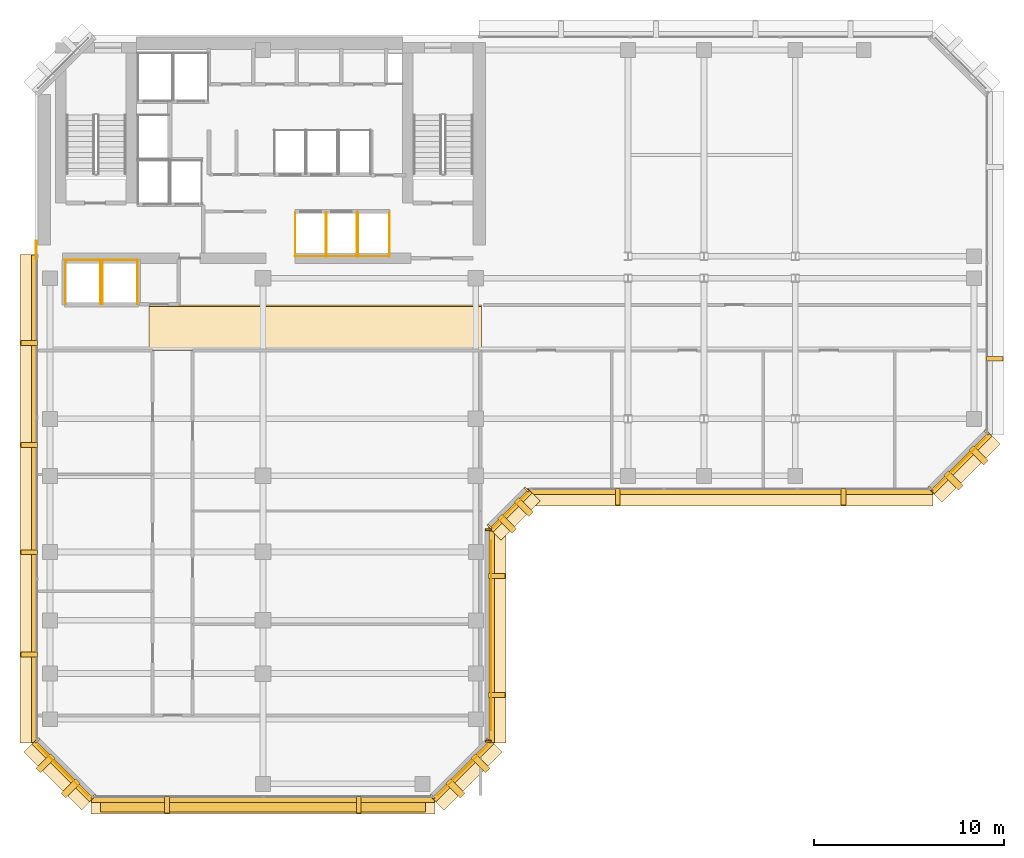
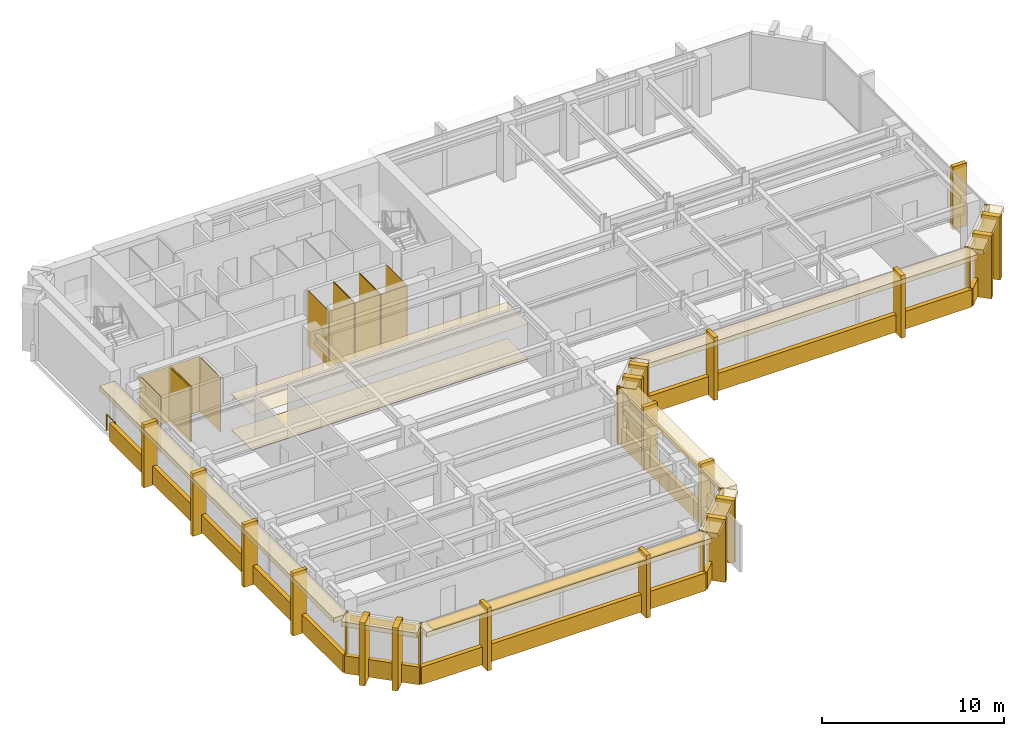
# One storey, part 9 of 12: 67 coverings, 1 railing, 1 shading device.
"""IFC4 building model written with IfcOpenShell, lengths in metres."""

import ifcopenshell
import ifcopenshell.guid

model = None  # the IFC model being written
_history = None  # IfcOwnerHistory: only IFC2X3 demands one
_inside = {}  # id of a spatial element -> (the spatial element, [elements in it])
_under = {}  # id of a project, library or spatial element -> (it, [spatial elements below it])
_declared = {}  # id of a project -> (the project, [libraries it declares])
_typed = {}  # id of a type object -> (the type object, [elements of that type])
_made_of = {}  # id of a material, layer set ... -> (it, [elements and type objects made of it])


def new_model(schema):
    """Start an empty IFC model of exactly this schema.

    Asked for "IFC4X3", IfcOpenShell would pick the latest addendum, in which some entities
    have other attributes; the version numbers below select the first issue.
    IFC2X3 requires an IfcOwnerHistory on every rooted entity: one is made here for all.
    """
    global model, _history
    if schema == "IFC4X3":
        model = ifcopenshell.file(schema_version=(4, 3, 0, 0))
    else:
        model = ifcopenshell.file(schema=schema)
    _inside.clear()
    _under.clear()
    _declared.clear()
    _typed.clear()
    _made_of.clear()
    _history = None
    if model.schema == "IFC2X3":
        org = make("IfcOrganization", Name="unknown")
        user = make(
            "IfcPersonAndOrganization",
            ThePerson=make("IfcPerson", FamilyName="unknown"),
            TheOrganization=org,
        )
        app = make(
            "IfcApplication",
            ApplicationDeveloper=org,
            Version="unknown",
            ApplicationFullName="unknown",
            ApplicationIdentifier="unknown",
        )
        _history = make(
            "IfcOwnerHistory",
            OwningUser=user,
            OwningApplication=app,
            ChangeAction="ADDED",
            CreationDate=0,
        )
    return model


def make(cls, **values):
    """One entity of the class cls with the attributes given. An attribute that is None is left unset."""
    return model.create_entity(
        cls, **{name: value for name, value in values.items() if value is not None}
    )


def rooted(cls, **values):
    """An entity with a GlobalId (a new one), such as an element, a storey or a relation."""
    return make(cls, GlobalId=ifcopenshell.guid.new(), OwnerHistory=_history, **values)


def si_unit(unit_type, name, prefix=None):
    """IfcSIUnit, for example si_unit("LENGTHUNIT", "METRE", prefix="MILLI")."""
    return make("IfcSIUnit", UnitType=unit_type, Prefix=prefix, Name=name)


def assignment(units):
    """IfcUnitAssignment: the units of a project."""
    return None if units is None else make("IfcUnitAssignment", Units=units)


def point(xyz):
    """IfcCartesianPoint."""
    return None if xyz is None else make("IfcCartesianPoint", Coordinates=xyz)


def direction(xyz):
    """IfcDirection."""
    return None if xyz is None else make("IfcDirection", DirectionRatios=xyz)


def frame(location, z_axis=None, x_axis=None):
    """IfcAxis2Placement3D, a coordinate frame: its origin and axes. An axis left out is left unset."""
    return make(
        "IfcAxis2Placement3D",
        Location=point(location),
        Axis=direction(z_axis),
        RefDirection=direction(x_axis),
    )


def frame_2d(location, x_axis=None):
    """IfcAxis2Placement2D, a coordinate frame in the plane: its origin and x axis."""
    return make(
        "IfcAxis2Placement2D", Location=point(location), RefDirection=direction(x_axis)
    )


def origin():
    """The frame at (0, 0, 0) with its axes left unset."""
    return frame((0.0, 0.0, 0.0))


def origin_2d():
    """The frame at (0, 0) in the plane with its x axis left unset."""
    return frame_2d((0.0, 0.0))


def place(relative_to, where):
    """IfcLocalPlacement: puts the frame where relative to a parent placement (None: the world)."""
    return make(
        "IfcLocalPlacement", PlacementRelTo=relative_to, RelativePlacement=where
    )


def context(
    kind, dimensions, precision=None, world=None, true_north=None, identifier=None
):
    """IfcGeometricRepresentationContext, for example the 3D "Model" context."""
    return make(
        "IfcGeometricRepresentationContext",
        ContextIdentifier=identifier,
        ContextType=kind,
        CoordinateSpaceDimension=dimensions,
        Precision=precision,
        WorldCoordinateSystem=world,
        TrueNorth=true_north,
    )


def subcontext(parent, identifier, kind, view, scale=None):
    """IfcGeometricRepresentationSubContext, for example "Body" below "Model"."""
    return make(
        "IfcGeometricRepresentationSubContext",
        ContextIdentifier=identifier,
        ContextType=kind,
        ParentContext=parent,
        TargetScale=scale,
        TargetView=view,
    )


def project(units=None, contexts=None):
    """IfcProject with its units and contexts."""
    return rooted(
        "IfcProject",
        Name="project",
        RepresentationContexts=contexts,
        UnitsInContext=assignment(units),
    )


def spatial(cls, under=None, at=None, **own):
    """A site, building, storey or space (cls), placed at a placement, below another one or the project."""
    s = rooted(cls, ObjectPlacement=at, **own)
    if under is not None:
        _under.setdefault(under.id(), (under, []))[1].append(s)
    return s


def polyline(points):
    """IfcPolyline through the points."""
    return make("IfcPolyline", Points=[point(p) for p in points])


def profile(cls, at=None, kind="AREA", **sizes):
    """A parametric profile (cls). Its sizes go by their IFC names, for example OverallWidth=200.0."""
    return make(cls, ProfileType=kind, Position=at, **sizes)


def rectangle(**sizes):
    """IfcRectangleProfileDef."""
    return profile("IfcRectangleProfileDef", **sizes)


def circle(**sizes):
    """IfcCircleProfileDef."""
    return profile("IfcCircleProfileDef", **sizes)


def outline(outer, holes=None, kind="AREA"):
    """IfcArbitraryClosedProfileDef: a profile drawn as a closed curve; with holes, ...WithVoids."""
    if holes is None:
        return make("IfcArbitraryClosedProfileDef", ProfileType=kind, OuterCurve=outer)
    return make(
        "IfcArbitraryProfileDefWithVoids",
        ProfileType=kind,
        OuterCurve=outer,
        InnerCurves=holes,
    )


def extrude(swept, where, along, depth):
    """IfcExtrudedAreaSolid: the profile swept, set in the frame where, extruded along a direction by depth."""
    return make(
        "IfcExtrudedAreaSolid",
        SweptArea=swept,
        Position=where,
        ExtrudedDirection=direction(along),
        Depth=depth,
    )


def shape(context_of_items, identifier, shape_type, items):
    """IfcShapeRepresentation: the items that make up one representation, for example the "Body"."""
    return make(
        "IfcShapeRepresentation",
        ContextOfItems=context_of_items,
        RepresentationIdentifier=identifier,
        RepresentationType=shape_type,
        Items=items,
    )


def material(Name=None, Category=None):
    """IfcMaterial."""
    return make("IfcMaterial", Name=Name, Category=Category)


def layer(
    of_material, thickness, ventilated=None, Name=None, Category=None, Priority=None
):
    """IfcMaterialLayer: one layer of a wall or slab, of a material (None: an air gap)."""
    return make(
        "IfcMaterialLayer",
        Material=of_material,
        LayerThickness=thickness,
        IsVentilated=ventilated,
        Name=Name,
        Category=Category,
        Priority=Priority,
    )


def layer_set(layers, Name=None):
    """IfcMaterialLayerSet."""
    return make("IfcMaterialLayerSet", MaterialLayers=layers, LayerSetName=Name)


def made_of(thing, what):
    """Note that an element or type object is made of a material, layer set ...; save() writes the relation."""
    if what is not None:
        _made_of.setdefault(what.id(), (what, []))[1].append(thing)
    return thing


def type_object(cls, material=None, **own):
    """A type object (cls), such as IfcWallType, which elements share."""
    return made_of(rooted(cls, **own), material)


def element(
    cls,
    number,
    at=None,
    inside=None,
    cuts=None,
    type_object=None,
    material=None,
    context=None,
    identifier="Body",
    shape_type=None,
    held_by="IfcProductDefinitionShape",
    body=None,
    shapes=None,
    **own,
):
    """One element of the class cls, such as IfcWall. Its Tag is "e" and its number.

    at: its placement. inside: the storey or other place that contains it. cuts: it is an
    opening in that element (IfcRelVoidsElement). A single representation is given by context,
    identifier, shape_type and body (its items); several are given by shapes. held_by: the class
    of the entity that holds the representations. save() writes the other relations.
    """
    e = rooted(cls, Tag="e%d" % number, ObjectPlacement=at, **own)
    if body is not None:
        shapes = [shape(context, identifier, shape_type, body)]
    if shapes is not None:
        e.Representation = make(held_by, Representations=shapes)
    if inside is not None:
        _inside.setdefault(inside.id(), (inside, []))[1].append(e)
    if cuts is not None:
        rooted(
            "IfcRelVoidsElement", RelatingBuildingElement=cuts, RelatedOpeningElement=e
        )
    if type_object is not None:
        _typed.setdefault(type_object.id(), (type_object, []))[1].append(e)
    return made_of(e, material)


def aggregate(whole, parts):
    """IfcRelAggregates: a whole, such as a stair, and the parts it consists of."""
    return rooted("IfcRelAggregates", RelatingObject=whole, RelatedObjects=parts)


def save(model, path):
    """Write the relations noted so far, then the file.

    IfcRelAggregates (storeys below a building ...), IfcRelContainedInSpatialStructure (elements
    in a storey), IfcRelDefinesByType, IfcRelAssociatesMaterial and IfcRelDeclares: one each for
    every whole, place, type object, material and project.
    """
    for whole, parts in _under.values():
        aggregate(whole, parts)
    for where, things in _inside.values():
        rooted(
            "IfcRelContainedInSpatialStructure",
            RelatedElements=things,
            RelatingStructure=where,
        )
    for kind, things in _typed.values():
        rooted("IfcRelDefinesByType", RelatedObjects=things, RelatingType=kind)
    for what, things in _made_of.values():
        rooted("IfcRelAssociatesMaterial", RelatedObjects=things, RelatingMaterial=what)
    for by, libraries in _declared.values():
        rooted("IfcRelDeclares", RelatingContext=by, RelatedDefinitions=libraries)
    model.write(path)


model = new_model("IFC4")

# Units and contexts
model_context = context("Model", 3, precision=1e-05, world=origin(), true_north=direction((0.0, 1.0)))
body_context = subcontext(model_context, "Body", "Model", "MODEL_VIEW")
ifc_project = project(units=[si_unit("LENGTHUNIT", "METRE"), si_unit("AREAUNIT", "SQUARE_METRE"), si_unit("VOLUMEUNIT", "CUBIC_METRE"), si_unit("PLANEANGLEUNIT", "RADIAN"), si_unit("MASSUNIT", "GRAM", prefix="KILO")], contexts=[model_context])

# Site, building, storey
site_placement = place(None, origin())
site = spatial("IfcSite", under=ifc_project, at=site_placement, CompositionType="ELEMENT")
building_placement = place(site_placement, origin())
building = spatial("IfcBuilding", under=site, at=building_placement, Name="Kefirva Bronze Tower", CompositionType="ELEMENT")
storey_placement = place(building_placement, frame((0.0, 0.0, 195.360107421875)))
storey = spatial("IfcBuildingStorey", under=building, at=storey_placement, Name="L47", CompositionType="ELEMENT", Elevation=195.360107421875)

# Coverings
ifc_material_1 = material(Name="Acoustic mineral tile")
ifc_layer_1 = layer(ifc_material_1, 0.02490234375, Name="Acoustic mineral tile")
ifc_layer_set_1 = layer_set([ifc_layer_1], Name="Acoustic mineral tile")
covering_type_1 = type_object("IfcCoveringType", Name="Acoustic Mineral Suspended Ceiling 25mm", PredefinedType="CEILING", material=ifc_layer_set_1)
covering_1_placement = place(storey_placement, frame((0.0, 0.0, 2.39990234375)))
element("IfcCovering", 1, at=covering_1_placement, inside=storey, type_object=covering_type_1, Name="L47 Corridor Acoustic Ceiling", PredefinedType="CEILING", context=body_context, shape_type="SweptSolid", body=[
    extrude(outline(polyline([(6.0, 29.39990234375), (23.5, 29.39990234375), (23.5, 31.800048828125), (6.0, 31.800048828125), (6.0, 29.39990234375)])), origin(), (0.0, 0.0, 1.0), 0.02490234375),
])
ifc_material_2 = material(Name="Bronze anodised aluminium", Category="aluminium")
ifc_layer_2 = layer(ifc_material_2, 0.02001953125, Name="Bronze anodised aluminium")
ifc_layer_set_2 = layer_set([ifc_layer_2], Name="Bronze anodised aluminium")
covering_type_2 = type_object("IfcCoveringType", Name="Anodised Bronze Spandrel Cladding 20mm", PredefinedType="CLADDING", material=ifc_layer_set_2)
covering_2_placement = place(storey_placement, frame((12.0, 5.760009765625, -0.16015625), z_axis=(0.0, 0.0, 1.0), x_axis=(1.0, 0.0, 0.0)))
element("IfcCovering", 2, at=covering_2_placement, inside=storey, type_object=covering_type_2, Name="L47 Streamline Horizontal Spandrel Band 0", PredefinedType="CLADDING", context=body_context, shape_type="SweptSolid", body=[
    extrude(rectangle(XDim=18.0400390625, YDim=0.280029296875, at=origin_2d()), origin(), (0.0, 0.0, 1.0), 1.179931640625),
])
covering_3_placement = place(storey_placement, frame((22.507080078125, 7.29296875, 3.2900390625), z_axis=(0.0, 0.0, 1.0), x_axis=(0.707106781187, 0.707106781187, 0.0)))
element("IfcCovering", 3, at=covering_3_placement, inside=storey, type_object=covering_type_2, Name="L47 Bronze Spandrel Cladding 1", PredefinedType="CLADDING", context=body_context, shape_type="SweptSolid", body=[
    extrude(rectangle(XDim=3.719482421875, YDim=0.02001953125, at=origin_2d()), origin(), (0.0, 0.0, 1.0), 0.39990234375),
])
for number, where, z_axis, x_axis, name in (
    (4, (20.91162109375, 5.93798828125, 0.0), (0.0, 0.0, 1.0), (0.707106781187, 0.707106781187, 0.0), "L47 Facade Joint Closure Panel 1S"),
    (5, (23.862060546875, 8.88818359375, 0.0), (0.0, 0.0, 1.0), (0.707106781187, 0.707106781187, 0.0), "L47 Facade Joint Closure Panel 1E"),
):
    element("IfcCovering", number, at=place(storey_placement, frame(where, z_axis=z_axis, x_axis=x_axis)), inside=storey, type_object=covering_type_2, Name=name, PredefinedType="CLADDING", context=body_context, shape_type="SweptSolid", body=[
        extrude(rectangle(XDim=0.10009765625, YDim=0.320068359375, at=origin_2d()), origin(), (0.0, 0.0, 1.0), 3.7099609375),
    ])
covering_4_placement = place(storey_placement, frame((22.5283203125, 7.271728515625, -0.16015625), z_axis=(0.0, 0.0, 1.0), x_axis=(0.707106781187, 0.707106781187, 0.0)))
element("IfcCovering", 6, at=covering_4_placement, inside=storey, type_object=covering_type_2, Name="L47 Streamline Horizontal Spandrel Band 1", PredefinedType="CLADDING", context=body_context, shape_type="SweptSolid", body=[
    extrude(rectangle(XDim=4.28271484375, YDim=0.280029296875, at=origin_2d()), origin(), (0.0, 0.0, 1.0), 1.179931640625),
])
covering_5_placement = place(storey_placement, frame((24.010009765625, 14.39990234375, 3.2900390625), z_axis=(0.0, 0.0, 1.0), x_axis=(0.0, 1.0, 0.0)))
element("IfcCovering", 7, at=covering_5_placement, inside=storey, type_object=covering_type_2, Name="L47 Bronze Spandrel Cladding 2", PredefinedType="CLADDING", context=body_context, shape_type="SweptSolid", body=[
    extrude(rectangle(XDim=9.98095703125, YDim=0.02001953125, at=origin_2d()), origin(), (0.0, 0.0, 1.0), 0.39990234375),
])
for number, where, z_axis, x_axis, name in (
    (8, (23.840087890625, 8.8349609375, 0.0), (0.0, 0.0, 1.0), (0.0, 1.0, 0.0), "L47 Facade Joint Closure Panel 2S"),
    (9, (23.840087890625, 19.965087890625, 0.0), (0.0, 0.0, 1.0), (0.0, 1.0, 0.0), "L47 Facade Joint Closure Panel 2E"),
):
    element("IfcCovering", number, at=place(storey_placement, frame(where, z_axis=z_axis, x_axis=x_axis)), inside=storey, type_object=covering_type_2, Name=name, PredefinedType="CLADDING", context=body_context, shape_type="SweptSolid", body=[
        extrude(rectangle(XDim=0.10009765625, YDim=0.320068359375, at=origin_2d()), origin(), (0.0, 0.0, 1.0), 3.7099609375),
    ])
covering_6_placement = place(storey_placement, frame((24.0400390625, 14.39990234375, -0.16015625), z_axis=(0.0, 0.0, 1.0), x_axis=(0.0, 1.0, 0.0)))
element("IfcCovering", 10, at=covering_6_placement, inside=storey, type_object=covering_type_2, Name="L47 Streamline Horizontal Spandrel Band 2", PredefinedType="CLADDING", context=body_context, shape_type="SweptSolid", body=[
    extrude(rectangle(XDim=11.239990234375, YDim=0.280029296875, at=origin_2d()), origin(), (0.0, 0.0, 1.0), 1.179931640625),
])
covering_7_placement = place(storey_placement, frame((25.007080078125, 20.992919921875, 3.2900390625), z_axis=(0.0, 0.0, 1.0), x_axis=(0.707106781187, 0.707106781187, 0.0)))
element("IfcCovering", 11, at=covering_7_placement, inside=storey, type_object=covering_type_2, Name="L47 Bronze Spandrel Cladding 3", PredefinedType="CLADDING", context=body_context, shape_type="SweptSolid", body=[
    extrude(rectangle(XDim=2.446533203125, YDim=0.02001953125, at=origin_2d()), origin(), (0.0, 0.0, 1.0), 0.39990234375),
])
for number, where, z_axis, x_axis, name in (
    (12, (23.91162109375, 20.137939453125, 0.0), (0.0, 0.0, 1.0), (0.707106781187, 0.707106781187, 0.0), "L47 Facade Joint Closure Panel 3S"),
    (13, (25.862060546875, 22.08837890625, 0.0), (0.0, 0.0, 1.0), (0.707106781187, 0.707106781187, 0.0), "L47 Facade Joint Closure Panel 3E"),
):
    element("IfcCovering", number, at=place(storey_placement, frame(where, z_axis=z_axis, x_axis=x_axis)), inside=storey, type_object=covering_type_2, Name=name, PredefinedType="CLADDING", context=body_context, shape_type="SweptSolid", body=[
        extrude(rectangle(XDim=0.10009765625, YDim=0.320068359375, at=origin_2d()), origin(), (0.0, 0.0, 1.0), 3.7099609375),
    ])
covering_8_placement = place(storey_placement, frame((25.0283203125, 20.9716796875, -0.16015625), z_axis=(0.0, 0.0, 1.0), x_axis=(0.707106781187, 0.707106781187, 0.0)))
element("IfcCovering", 14, at=covering_8_placement, inside=storey, type_object=covering_type_2, Name="L47 Streamline Horizontal Spandrel Band 3", PredefinedType="CLADDING", context=body_context, shape_type="SweptSolid", body=[
    extrude(rectangle(XDim=2.868408203125, YDim=0.280029296875, at=origin_2d()), origin(), (0.0, 0.0, 1.0), 1.179931640625),
])
covering_9_placement = place(storey_placement, frame((36.60009765625, 21.9599609375, -0.16015625), z_axis=(0.0, 0.0, 1.0), x_axis=(1.0, 0.0, 0.0)))
element("IfcCovering", 15, at=covering_9_placement, inside=storey, type_object=covering_type_2, Name="L47 Streamline Horizontal Spandrel Band 4", PredefinedType="CLADDING", context=body_context, shape_type="SweptSolid", body=[
    extrude(rectangle(XDim=21.239990234375, YDim=0.280029296875, at=origin_2d()), origin(), (0.0, 0.0, 1.0), 1.179931640625),
])
covering_10_placement = place(storey_placement, frame((48.70703125, 23.492919921875, 3.2900390625), z_axis=(0.0, 0.0, 1.0), x_axis=(0.707106781187, 0.707106781187, 0.0)))
element("IfcCovering", 16, at=covering_10_placement, inside=storey, type_object=covering_type_2, Name="L47 Bronze Spandrel Cladding 4", PredefinedType="CLADDING", context=body_context, shape_type="SweptSolid", body=[
    extrude(rectangle(XDim=3.719482421875, YDim=0.02001953125, at=origin_2d()), origin(), (0.0, 0.0, 1.0), 0.39990234375),
])
for number, where, z_axis, x_axis, name in (
    (17, (47.11181640625, 22.137939453125, 0.0), (0.0, 0.0, 1.0), (0.707106781187, 0.707106781187, 0.0), "L47 Facade Joint Closure Panel 4S"),
    (18, (50.06201171875, 25.08837890625, 0.0), (0.0, 0.0, 1.0), (0.707106781187, 0.707106781187, 0.0), "L47 Facade Joint Closure Panel 4E"),
):
    element("IfcCovering", number, at=place(storey_placement, frame(where, z_axis=z_axis, x_axis=x_axis)), inside=storey, type_object=covering_type_2, Name=name, PredefinedType="CLADDING", context=body_context, shape_type="SweptSolid", body=[
        extrude(rectangle(XDim=0.10009765625, YDim=0.320068359375, at=origin_2d()), origin(), (0.0, 0.0, 1.0), 3.7099609375),
    ])
covering_11_placement = place(storey_placement, frame((48.728271484375, 23.4716796875, -0.16015625), z_axis=(0.0, 0.0, 1.0), x_axis=(0.707106781187, 0.707106781187, 0.0)))
element("IfcCovering", 19, at=covering_11_placement, inside=storey, type_object=covering_type_2, Name="L47 Streamline Horizontal Spandrel Band 5", PredefinedType="CLADDING", context=body_context, shape_type="SweptSolid", body=[
    extrude(rectangle(XDim=4.28271484375, YDim=0.280029296875, at=origin_2d()), origin(), (0.0, 0.0, 1.0), 1.179931640625),
])
covering_12_placement = place(storey_placement, frame((-0.0400390625, 21.597412109375, -0.16015625), z_axis=(0.0, 0.0, 1.0), x_axis=(0.0, -1.0, 0.0)))
element("IfcCovering", 20, at=covering_12_placement, inside=storey, type_object=covering_type_2, Name="L47 Streamline Horizontal Spandrel Band 10", PredefinedType="CLADDING", context=body_context, shape_type="SweptSolid", body=[
    extrude(rectangle(XDim=25.635009765625, YDim=0.280029296875, at=origin_2d()), origin(), (0.0, 0.0, 1.0), 1.179931640625),
])
covering_13_placement = place(storey_placement, frame((1.492919921875, 7.29296875, 3.2900390625), z_axis=(0.0, 0.0, 1.0), x_axis=(0.707106781187, -0.707106781187, 0.0)))
element("IfcCovering", 21, at=covering_13_placement, inside=storey, type_object=covering_type_2, Name="L47 Bronze Spandrel Cladding 7", PredefinedType="CLADDING", context=body_context, shape_type="SweptSolid", body=[
    extrude(rectangle(XDim=3.719482421875, YDim=0.02001953125, at=origin_2d()), origin(), (0.0, 0.0, 1.0), 0.39990234375),
])
for number, where, z_axis, x_axis, name in (
    (22, (0.137939453125, 8.88818359375, 0.0), (0.0, 0.0, 1.0), (0.707106781187, -0.707106781187, 0.0), "L47 Facade Joint Closure Panel 7S"),
    (23, (3.08837890625, 5.93798828125, 0.0), (0.0, 0.0, 1.0), (0.707106781187, -0.707106781187, 0.0), "L47 Facade Joint Closure Panel 7E"),
):
    element("IfcCovering", number, at=place(storey_placement, frame(where, z_axis=z_axis, x_axis=x_axis)), inside=storey, type_object=covering_type_2, Name=name, PredefinedType="CLADDING", context=body_context, shape_type="SweptSolid", body=[
        extrude(rectangle(XDim=0.10009765625, YDim=0.320068359375, at=origin_2d()), origin(), (0.0, 0.0, 1.0), 3.7099609375),
    ])
covering_14_placement = place(storey_placement, frame((1.4716796875, 7.271728515625, -0.16015625), z_axis=(0.0, 0.0, 1.0), x_axis=(0.707106781187, -0.707106781187, 0.0)))
element("IfcCovering", 24, at=covering_14_placement, inside=storey, type_object=covering_type_2, Name="L47 Streamline Horizontal Spandrel Band 11", PredefinedType="CLADDING", context=body_context, shape_type="SweptSolid", body=[
    extrude(rectangle(XDim=4.28271484375, YDim=0.280029296875, at=origin_2d()), origin(), (0.0, 0.0, 1.0), 1.179931640625),
])
covering_15_placement = place(storey_placement, origin())
element("IfcCovering", 25, at=covering_15_placement, inside=storey, type_object=covering_type_2, Name="L47 Lift OB1 Hoistway Liner N", PredefinedType="CLADDING", context=body_context, shape_type="SweptSolid", body=[
    extrude(outline(polyline([(1.580078125, 34.139892578125), (3.469970703125, 34.139892578125), (3.469970703125, 34.159912109375), (1.580078125, 34.159912109375), (1.580078125, 34.139892578125)])), origin(), (0.0, 0.0, 1.0), 3.7099609375),
])
covering_16_placement = place(storey_placement, origin())
element("IfcCovering", 26, at=covering_16_placement, inside=storey, type_object=covering_type_2, Name="L47 Lift OB1 Hoistway Liner W", PredefinedType="CLADDING", context=body_context, shape_type="SweptSolid", body=[
    extrude(outline(polyline([(1.590087890625, 31.830078125), (1.610107421875, 31.830078125), (1.610107421875, 34.169921875), (1.590087890625, 34.169921875), (1.590087890625, 31.830078125)])), origin(), (0.0, 0.0, 1.0), 3.7099609375),
])
covering_17_placement = place(storey_placement, origin())
element("IfcCovering", 27, at=covering_17_placement, inside=storey, type_object=covering_type_2, Name="L47 Lift OB1 Hoistway Liner E", PredefinedType="CLADDING", context=body_context, shape_type="SweptSolid", body=[
    extrude(outline(polyline([(3.43994140625, 31.830078125), (3.4599609375, 31.830078125), (3.4599609375, 34.169921875), (3.43994140625, 34.169921875), (3.43994140625, 31.830078125)])), origin(), (0.0, 0.0, 1.0), 3.7099609375),
])
covering_18_placement = place(storey_placement, origin())
element("IfcCovering", 28, at=covering_18_placement, inside=storey, type_object=covering_type_2, Name="L47 Lift OB2 Hoistway Liner N", PredefinedType="CLADDING", context=body_context, shape_type="SweptSolid", body=[
    extrude(outline(polyline([(3.530029296875, 34.139892578125), (5.419921875, 34.139892578125), (5.419921875, 34.159912109375), (3.530029296875, 34.159912109375), (3.530029296875, 34.139892578125)])), origin(), (0.0, 0.0, 1.0), 3.7099609375),
])
covering_19_placement = place(storey_placement, origin())
element("IfcCovering", 29, at=covering_19_placement, inside=storey, type_object=covering_type_2, Name="L47 Lift OB2 Hoistway Liner W", PredefinedType="CLADDING", context=body_context, shape_type="SweptSolid", body=[
    extrude(outline(polyline([(3.5400390625, 31.830078125), (3.56005859375, 31.830078125), (3.56005859375, 34.169921875), (3.5400390625, 34.169921875), (3.5400390625, 31.830078125)])), origin(), (0.0, 0.0, 1.0), 3.7099609375),
])
covering_20_placement = place(storey_placement, origin())
element("IfcCovering", 30, at=covering_20_placement, inside=storey, type_object=covering_type_2, Name="L47 Lift OB2 Hoistway Liner E", PredefinedType="CLADDING", context=body_context, shape_type="SweptSolid", body=[
    extrude(outline(polyline([(5.389892578125, 31.830078125), (5.409912109375, 31.830078125), (5.409912109375, 34.169921875), (5.389892578125, 34.169921875), (5.389892578125, 31.830078125)])), origin(), (0.0, 0.0, 1.0), 3.7099609375),
])
covering_21_placement = place(storey_placement, origin())
element("IfcCovering", 31, at=covering_21_placement, inside=storey, type_object=covering_type_2, Name="L47 Lift MP1 Hoistway Liner S", PredefinedType="CLADDING", context=body_context, shape_type="SweptSolid", body=[
    extrude(outline(polyline([(13.679931640625, 34.340087890625), (15.320068359375, 34.340087890625), (15.320068359375, 34.360107421875), (13.679931640625, 34.360107421875), (13.679931640625, 34.340087890625)])), origin(), (0.0, 0.0, 1.0), 3.7099609375),
])
covering_22_placement = place(storey_placement, origin())
element("IfcCovering", 32, at=covering_22_placement, inside=storey, type_object=covering_type_2, Name="L47 Lift MP1 Hoistway Liner W", PredefinedType="CLADDING", context=body_context, shape_type="SweptSolid", body=[
    extrude(outline(polyline([(13.68994140625, 34.330078125), (13.7099609375, 34.330078125), (13.7099609375, 36.669921875), (13.68994140625, 36.669921875), (13.68994140625, 34.330078125)])), origin(), (0.0, 0.0, 1.0), 3.7099609375),
])
covering_23_placement = place(storey_placement, origin())
element("IfcCovering", 33, at=covering_23_placement, inside=storey, type_object=covering_type_2, Name="L47 Lift MP1 Hoistway Liner E", PredefinedType="CLADDING", context=body_context, shape_type="SweptSolid", body=[
    extrude(outline(polyline([(15.2900390625, 34.330078125), (15.31005859375, 34.330078125), (15.31005859375, 36.669921875), (15.2900390625, 36.669921875), (15.2900390625, 34.330078125)])), origin(), (0.0, 0.0, 1.0), 3.7099609375),
])
covering_24_placement = place(storey_placement, origin())
element("IfcCovering", 34, at=covering_24_placement, inside=storey, type_object=covering_type_2, Name="L47 Lift MP2 Hoistway Liner S", PredefinedType="CLADDING", context=body_context, shape_type="SweptSolid", body=[
    extrude(outline(polyline([(15.330078125, 34.340087890625), (16.969970703125, 34.340087890625), (16.969970703125, 34.360107421875), (15.330078125, 34.360107421875), (15.330078125, 34.340087890625)])), origin(), (0.0, 0.0, 1.0), 3.7099609375),
])
covering_25_placement = place(storey_placement, origin())
element("IfcCovering", 35, at=covering_25_placement, inside=storey, type_object=covering_type_2, Name="L47 Lift MP2 Hoistway Liner W", PredefinedType="CLADDING", context=body_context, shape_type="SweptSolid", body=[
    extrude(outline(polyline([(15.340087890625, 34.330078125), (15.360107421875, 34.330078125), (15.360107421875, 36.669921875), (15.340087890625, 36.669921875), (15.340087890625, 34.330078125)])), origin(), (0.0, 0.0, 1.0), 3.7099609375),
])
covering_26_placement = place(storey_placement, origin())
element("IfcCovering", 36, at=covering_26_placement, inside=storey, type_object=covering_type_2, Name="L47 Lift MP2 Hoistway Liner E", PredefinedType="CLADDING", context=body_context, shape_type="SweptSolid", body=[
    extrude(outline(polyline([(16.93994140625, 34.330078125), (16.9599609375, 34.330078125), (16.9599609375, 36.669921875), (16.93994140625, 36.669921875), (16.93994140625, 34.330078125)])), origin(), (0.0, 0.0, 1.0), 3.7099609375),
])
covering_27_placement = place(storey_placement, origin())
element("IfcCovering", 37, at=covering_27_placement, inside=storey, type_object=covering_type_2, Name="L47 Lift HP1 Hoistway Liner S", PredefinedType="CLADDING", context=body_context, shape_type="SweptSolid", body=[
    extrude(outline(polyline([(16.97998046875, 34.340087890625), (18.669921875, 34.340087890625), (18.669921875, 34.360107421875), (16.97998046875, 34.360107421875), (16.97998046875, 34.340087890625)])), origin(), (0.0, 0.0, 1.0), 3.7099609375),
])
covering_28_placement = place(storey_placement, origin())
element("IfcCovering", 38, at=covering_28_placement, inside=storey, type_object=covering_type_2, Name="L47 Lift HP1 Hoistway Liner W", PredefinedType="CLADDING", context=body_context, shape_type="SweptSolid", body=[
    extrude(outline(polyline([(16.989990234375, 34.330078125), (17.010009765625, 34.330078125), (17.010009765625, 36.669921875), (16.989990234375, 36.669921875), (16.989990234375, 34.330078125)])), origin(), (0.0, 0.0, 1.0), 3.7099609375),
])
covering_29_placement = place(storey_placement, origin())
element("IfcCovering", 39, at=covering_29_placement, inside=storey, type_object=covering_type_2, Name="L47 Lift HP1 Hoistway Liner E", PredefinedType="CLADDING", context=body_context, shape_type="SweptSolid", body=[
    extrude(outline(polyline([(18.639892578125, 34.330078125), (18.659912109375, 34.330078125), (18.659912109375, 36.669921875), (18.639892578125, 36.669921875), (18.639892578125, 34.330078125)])), origin(), (0.0, 0.0, 1.0), 3.7099609375),
])

# Shading device
ifc_layer_3 = layer(ifc_material_2, 0.090087890625, Name="Bronze anodised aluminium")
ifc_layer_set_3 = layer_set([ifc_layer_3], Name="Bronze anodised aluminium")
shading_device_type = type_object("IfcShadingDeviceType", Name="Horizontal Bronze Sunshade Band 750mm", PredefinedType="JALOUSIE", material=ifc_layer_set_3)
shading_device_placement = place(storey_placement, frame((12.0, 5.5048828125, 3.60498046875), z_axis=(0.0, 0.0, 1.0), x_axis=(1.0, 0.0, 0.0)))
element("IfcShadingDevice", 40, at=shading_device_placement, inside=storey, type_object=shading_device_type, Name="L47 Horizontal Bronze Sunshade Band 0", PredefinedType="JALOUSIE", context=body_context, shape_type="SweptSolid", body=[
    extrude(rectangle(XDim=17.090087890625, YDim=0.75, at=origin_2d()), origin(), (0.0, 0.0, 1.0), 0.090087890625),
])

# Railing
ifc_material_3 = material(Name="Stainless steel 316", Category="steel")
railing_type = type_object("IfcRailingType", Name="Interior Stair Guardrail 1100mm", PredefinedType="GUARDRAIL", material=ifc_material_3)
railing_placement = place(storey_placement, frame((0.080078125, 34.199951171875, 0.0)))
element("IfcRailing", 41, at=railing_placement, inside=storey, type_object=railing_type, Name="L47 West Core Junction Guardrail", PredefinedType="GUARDRAIL", context=body_context, shape_type="SweptSolid", body=[
    extrude(circle(Radius=0.02392578125, at=origin_2d()), frame((0.0, 0.0, 1.076171875), z_axis=(0.0, 1.0, 0.0), x_axis=(-1.0, 0.0, 0.0)), (0.0, 0.0, 1.0), 0.949951171875),
    extrude(circle(Radius=0.02099609375, at=origin_2d()), origin(), (0.0, 0.0, 1.0), 1.052001953125),
    extrude(circle(Radius=0.02099609375, at=origin_2d()), frame((0.0, 0.949951171875, 0.0)), (0.0, 0.0, 1.0), 1.052001953125),
])

# Coverings
ifc_material_4 = material(Name="Calcium sulphate access tile")
ifc_layer_4 = layer(ifc_material_4, 0.044921875, Name="Calcium sulphate access tile")
ifc_layer_set_4 = layer_set([ifc_layer_4], Name="Calcium sulphate access tile")
covering_type_3 = type_object("IfcCoveringType", Name="Raised Access Office Flooring 45mm", PredefinedType="FLOORING", material=ifc_layer_set_4)
covering_30_placement = place(storey_placement, origin())
element("IfcCovering", 42, at=covering_30_placement, inside=storey, type_object=covering_type_3, Name="L47 Architectural Finish Flooring", PredefinedType="FLOORING", context=body_context, shape_type="SweptSolid", body=[
    extrude(outline(polyline([(6.0, 29.47998046875), (23.5, 29.47998046875), (23.5, 31.719970703125), (6.0, 31.719970703125), (6.0, 29.47998046875)])), origin(), (0.0, 0.0, 1.0), 0.044921875),
])
ifc_layer_5 = layer(ifc_material_2, 0.179931640625, Name="Bronze anodised aluminium")
ifc_layer_set_5 = layer_set([ifc_layer_5], Name="Bronze anodised aluminium")
covering_type_4 = type_object("IfcCoveringType", Name="Streamline Bronze Sunshade Eyebrow Cladding 180mm", PredefinedType="CLADDING", material=ifc_layer_set_5)
covering_31_placement = place(storey_placement, frame((12.0, 5.489990234375, 3.3896484375), z_axis=(0.0, 0.0, 1.0), x_axis=(1.0, 0.0, 0.0)))
element("IfcCovering", 43, at=covering_31_placement, inside=storey, type_object=covering_type_4, Name="L47 Streamline Bronze Sunshade Eyebrow 0", PredefinedType="CLADDING", context=body_context, shape_type="SweptSolid", body=[
    extrude(rectangle(XDim=18.080078125, YDim=0.93994140625, at=origin_2d()), origin(), (0.0, 0.0, 1.0), 0.320068359375),
])
covering_32_placement = place(storey_placement, frame((22.71923828125, 7.080810546875, 3.3896484375), z_axis=(0.0, 0.0, 1.0), x_axis=(0.707106781187, 0.707106781187, 0.0)))
element("IfcCovering", 44, at=covering_32_placement, inside=storey, type_object=covering_type_4, Name="L47 Streamline Bronze Sunshade Eyebrow 1", PredefinedType="CLADDING", context=body_context, shape_type="SweptSolid", body=[
    extrude(rectangle(XDim=4.322509765625, YDim=0.93994140625, at=origin_2d()), origin(), (0.0, 0.0, 1.0), 0.320068359375),
])
covering_33_placement = place(storey_placement, frame((24.31005859375, 14.39990234375, 3.3896484375), z_axis=(0.0, 0.0, 1.0), x_axis=(0.0, 1.0, 0.0)))
element("IfcCovering", 45, at=covering_33_placement, inside=storey, type_object=covering_type_4, Name="L47 Streamline Bronze Sunshade Eyebrow 2", PredefinedType="CLADDING", context=body_context, shape_type="SweptSolid", body=[
    extrude(rectangle(XDim=11.280029296875, YDim=0.93994140625, at=origin_2d()), origin(), (0.0, 0.0, 1.0), 0.320068359375),
])
covering_34_placement = place(storey_placement, frame((25.21923828125, 20.78076171875, 3.3896484375), z_axis=(0.0, 0.0, 1.0), x_axis=(0.707106781187, 0.707106781187, 0.0)))
element("IfcCovering", 46, at=covering_34_placement, inside=storey, type_object=covering_type_4, Name="L47 Streamline Bronze Sunshade Eyebrow 3", PredefinedType="CLADDING", context=body_context, shape_type="SweptSolid", body=[
    extrude(rectangle(XDim=2.908447265625, YDim=0.93994140625, at=origin_2d()), origin(), (0.0, 0.0, 1.0), 0.320068359375),
])
covering_35_placement = place(storey_placement, frame((36.60009765625, 21.68994140625, 3.3896484375), z_axis=(0.0, 0.0, 1.0), x_axis=(1.0, 0.0, 0.0)))
element("IfcCovering", 47, at=covering_35_placement, inside=storey, type_object=covering_type_4, Name="L47 Streamline Bronze Sunshade Eyebrow 4", PredefinedType="CLADDING", context=body_context, shape_type="SweptSolid", body=[
    extrude(rectangle(XDim=21.280029296875, YDim=0.93994140625, at=origin_2d()), origin(), (0.0, 0.0, 1.0), 0.320068359375),
])
covering_36_placement = place(storey_placement, frame((48.919189453125, 23.28076171875, 3.3896484375), z_axis=(0.0, 0.0, 1.0), x_axis=(0.707106781187, 0.707106781187, 0.0)))
element("IfcCovering", 48, at=covering_36_placement, inside=storey, type_object=covering_type_4, Name="L47 Streamline Bronze Sunshade Eyebrow 5", PredefinedType="CLADDING", context=body_context, shape_type="SweptSolid", body=[
    extrude(rectangle(XDim=4.322509765625, YDim=0.93994140625, at=origin_2d()), origin(), (0.0, 0.0, 1.0), 0.320068359375),
])
covering_37_placement = place(storey_placement, frame((-0.31005859375, 21.597412109375, 3.3896484375), z_axis=(0.0, 0.0, 1.0), x_axis=(0.0, -1.0, 0.0)))
element("IfcCovering", 49, at=covering_37_placement, inside=storey, type_object=covering_type_4, Name="L47 Streamline Bronze Sunshade Eyebrow 10", PredefinedType="CLADDING", context=body_context, shape_type="SweptSolid", body=[
    extrude(rectangle(XDim=25.675048828125, YDim=0.93994140625, at=origin_2d()), origin(), (0.0, 0.0, 1.0), 0.320068359375),
])
covering_38_placement = place(storey_placement, frame((1.28076171875, 7.080810546875, 3.3896484375), z_axis=(0.0, 0.0, 1.0), x_axis=(0.707106781187, -0.707106781187, 0.0)))
element("IfcCovering", 50, at=covering_38_placement, inside=storey, type_object=covering_type_4, Name="L47 Streamline Bronze Sunshade Eyebrow 11", PredefinedType="CLADDING", context=body_context, shape_type="SweptSolid", body=[
    extrude(rectangle(XDim=4.322509765625, YDim=0.93994140625, at=origin_2d()), origin(), (0.0, 0.0, 1.0), 0.320068359375),
])
ifc_layer_6 = layer(ifc_material_2, 0.260009765625, Name="Bronze anodised aluminium")
ifc_layer_set_6 = layer_set([ifc_layer_6], Name="Bronze anodised aluminium")
covering_type_5 = type_object("IfcCoveringType", Name="Unbroken Bronze Buttress Fin Cladding 260mm", PredefinedType="CLADDING", material=ifc_layer_set_6)
for number, where, z_axis, x_axis, name in (
    (51, (6.9599609375, 5.5, -0.25), (0.0, 0.0, 1.0), (1.0, 0.0, 0.0), "L47 Unbroken Vertical Bronze Rib Fin 1"),
    (52, (17.0400390625, 5.5, -0.25), (0.0, 0.0, 1.0), (1.0, 0.0, 0.0), "L47 Unbroken Vertical Bronze Rib Fin 2"),
):
    element("IfcCovering", number, at=place(storey_placement, frame(where, z_axis=z_axis, x_axis=x_axis)), inside=storey, type_object=covering_type_5, Name=name, PredefinedType="CLADDING", context=body_context, shape_type="SweptSolid", body=[
        extrude(rectangle(XDim=0.260009765625, YDim=0.8798828125, at=origin_2d()), origin(), (0.0, 0.0, 1.0), 4.2099609375),
    ])
for number, where, z_axis, x_axis, name in (
    (53, (22.122802734375, 6.357177734375, -0.25), (0.0, 0.0, 1.0), (0.707106781187, 0.707106781187, 0.0), "L47 Chamfered Corner Buttress Fin Cladding 3"),
    (54, (23.44287109375, 7.67724609375, -0.25), (0.0, 0.0, 1.0), (0.707106781187, 0.707106781187, 0.0), "L47 Chamfered Corner Buttress Fin Cladding 4"),
):
    element("IfcCovering", number, at=place(storey_placement, frame(where, z_axis=z_axis, x_axis=x_axis)), inside=storey, type_object=covering_type_5, Name=name, PredefinedType="CLADDING", context=body_context, shape_type="SweptSolid", body=[
        extrude(rectangle(XDim=0.340087890625, YDim=1.080078125, at=origin_2d()), origin(), (0.0, 0.0, 1.0), 4.2099609375),
    ])
for number, where, z_axis, x_axis, name in (
    (55, (24.300048828125, 11.263916015625, -0.25), (0.0, 0.0, 1.0), (0.0, 1.0, 0.0), "L47 Unbroken Vertical Bronze Rib Fin 5"),
    (56, (24.300048828125, 17.535888671875, -0.25), (0.0, 0.0, 1.0), (0.0, 1.0, 0.0), "L47 Unbroken Vertical Bronze Rib Fin 6"),
):
    element("IfcCovering", number, at=place(storey_placement, frame(where, z_axis=z_axis, x_axis=x_axis)), inside=storey, type_object=covering_type_5, Name=name, PredefinedType="CLADDING", context=body_context, shape_type="SweptSolid", body=[
        extrude(rectangle(XDim=0.260009765625, YDim=0.8798828125, at=origin_2d()), origin(), (0.0, 0.0, 1.0), 4.2099609375),
    ])
for number, where, z_axis, x_axis, name in (
    (57, (24.8427734375, 20.277099609375, -0.25), (0.0, 0.0, 1.0), (0.707106781187, 0.707106781187, 0.0), "L47 Chamfered Corner Buttress Fin Cladding 7"),
    (58, (25.722900390625, 21.1572265625, -0.25), (0.0, 0.0, 1.0), (0.707106781187, 0.707106781187, 0.0), "L47 Chamfered Corner Buttress Fin Cladding 8"),
):
    element("IfcCovering", number, at=place(storey_placement, frame(where, z_axis=z_axis, x_axis=x_axis)), inside=storey, type_object=covering_type_5, Name=name, PredefinedType="CLADDING", context=body_context, shape_type="SweptSolid", body=[
        extrude(rectangle(XDim=0.340087890625, YDim=1.080078125, at=origin_2d()), origin(), (0.0, 0.0, 1.0), 4.2099609375),
    ])
for number, where, z_axis, x_axis, name in (
    (59, (30.6640625, 21.699951171875, -0.25), (0.0, 0.0, 1.0), (1.0, 0.0, 0.0), "L47 Unbroken Vertical Bronze Rib Fin 9"),
    (60, (42.535888671875, 21.699951171875, -0.25), (0.0, 0.0, 1.0), (1.0, 0.0, 0.0), "L47 Unbroken Vertical Bronze Rib Fin 10"),
):
    element("IfcCovering", number, at=place(storey_placement, frame(where, z_axis=z_axis, x_axis=x_axis)), inside=storey, type_object=covering_type_5, Name=name, PredefinedType="CLADDING", context=body_context, shape_type="SweptSolid", body=[
        extrude(rectangle(XDim=0.260009765625, YDim=0.8798828125, at=origin_2d()), origin(), (0.0, 0.0, 1.0), 4.2099609375),
    ])
for number, where, z_axis, x_axis, name in (
    (61, (48.32275390625, 22.55712890625, -0.25), (0.0, 0.0, 1.0), (0.707106781187, 0.707106781187, 0.0), "L47 Chamfered Corner Buttress Fin Cladding 11"),
    (62, (49.642822265625, 23.877197265625, -0.25), (0.0, 0.0, 1.0), (0.707106781187, 0.707106781187, 0.0), "L47 Chamfered Corner Buttress Fin Cladding 12"),
):
    element("IfcCovering", number, at=place(storey_placement, frame(where, z_axis=z_axis, x_axis=x_axis)), inside=storey, type_object=covering_type_5, Name=name, PredefinedType="CLADDING", context=body_context, shape_type="SweptSolid", body=[
        extrude(rectangle(XDim=0.340087890625, YDim=1.080078125, at=origin_2d()), origin(), (0.0, 0.0, 1.0), 4.2099609375),
    ])
for number, where, z_axis, x_axis, name in (
    (63, (50.5, 28.9599609375, -0.25), (0.0, 0.0, 1.0), (0.0, 1.0, 0.0), "L47 Unbroken Vertical Bronze Rib Fin 13"),
    (64, (-0.300048828125, 29.787841796875, -0.25), (0.0, 0.0, 1.0), (0.0, -1.0, 0.0), "L47 Unbroken Vertical Bronze Rib Fin 23"),
    (65, (-0.300048828125, 24.4130859375, -0.25), (0.0, 0.0, 1.0), (0.0, -1.0, 0.0), "L47 Unbroken Vertical Bronze Rib Fin 24"),
    (66, (-0.300048828125, 18.781982421875, -0.25), (0.0, 0.0, 1.0), (0.0, -1.0, 0.0), "L47 Unbroken Vertical Bronze Rib Fin 25"),
    (67, (-0.300048828125, 13.406982421875, -0.25), (0.0, 0.0, 1.0), (0.0, -1.0, 0.0), "L47 Unbroken Vertical Bronze Rib Fin 26"),
):
    element("IfcCovering", number, at=place(storey_placement, frame(where, z_axis=z_axis, x_axis=x_axis)), inside=storey, type_object=covering_type_5, Name=name, PredefinedType="CLADDING", context=body_context, shape_type="SweptSolid", body=[
        extrude(rectangle(XDim=0.260009765625, YDim=0.8798828125, at=origin_2d()), origin(), (0.0, 0.0, 1.0), 4.2099609375),
    ])
for number, where, z_axis, x_axis, name in (
    (68, (0.55712890625, 7.67724609375, -0.25), (0.0, 0.0, 1.0), (0.707106781187, -0.707106781187, 0.0), "L47 Chamfered Corner Buttress Fin Cladding 27"),
    (69, (1.877197265625, 6.357177734375, -0.25), (0.0, 0.0, 1.0), (0.707106781187, -0.707106781187, 0.0), "L47 Chamfered Corner Buttress Fin Cladding 28"),
):
    element("IfcCovering", number, at=place(storey_placement, frame(where, z_axis=z_axis, x_axis=x_axis)), inside=storey, type_object=covering_type_5, Name=name, PredefinedType="CLADDING", context=body_context, shape_type="SweptSolid", body=[
        extrude(rectangle(XDim=0.340087890625, YDim=1.080078125, at=origin_2d()), origin(), (0.0, 0.0, 1.0), 4.2099609375),
    ])

save(model, "model.ifc")
